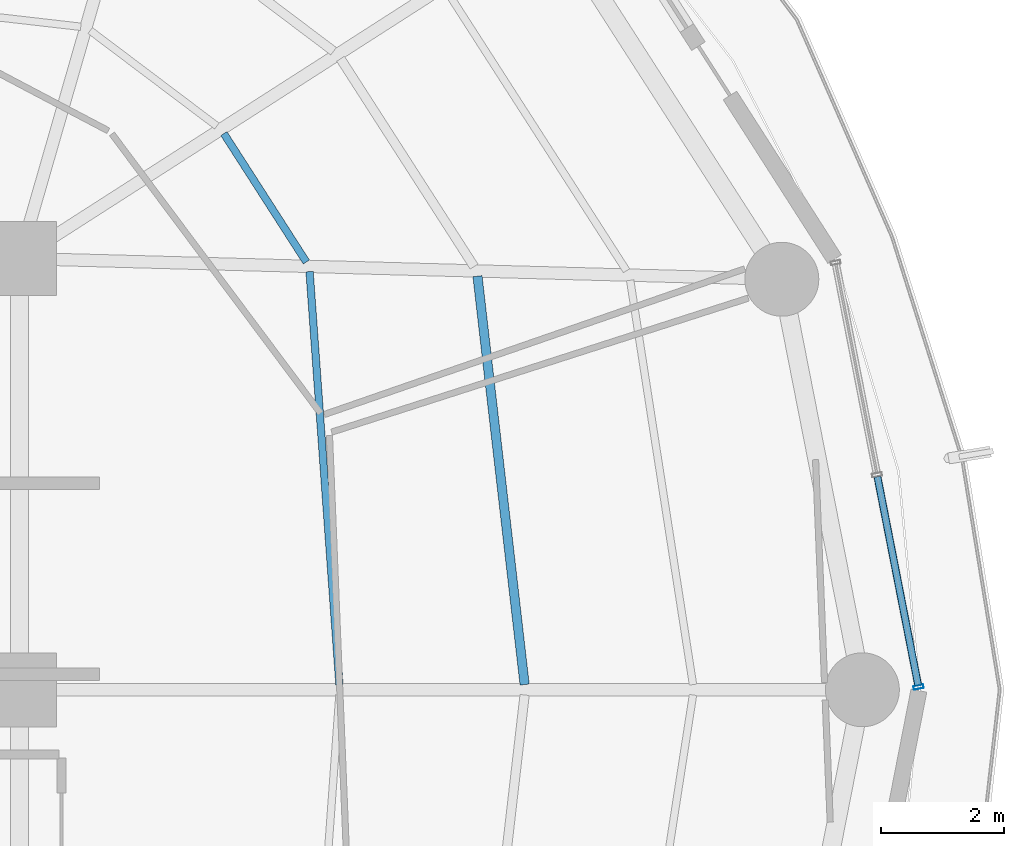
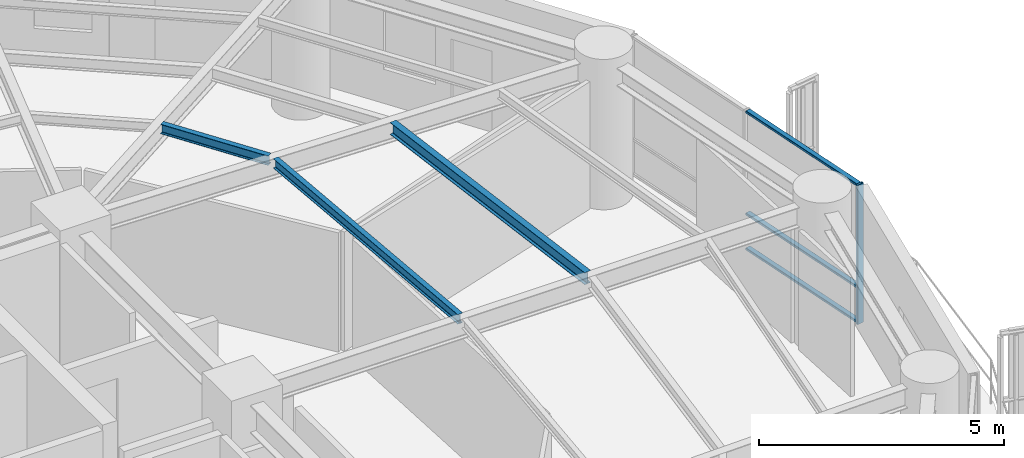
# One storey, part 13 of 27: 4 members, 3 beams, 1 element without a shape of its own.
"""IFC4 building model written with IfcOpenShell, lengths in metres."""

import ifcopenshell
import ifcopenshell.guid

model = None  # the IFC model being written
_history = None  # IfcOwnerHistory: only IFC2X3 demands one
_inside = {}  # id of a spatial element -> (the spatial element, [elements in it])
_under = {}  # id of a project, library or spatial element -> (it, [spatial elements below it])
_declared = {}  # id of a project -> (the project, [libraries it declares])
_typed = {}  # id of a type object -> (the type object, [elements of that type])
_made_of = {}  # id of a material, layer set ... -> (it, [elements and type objects made of it])


def new_model(schema):
    """Start an empty IFC model of exactly this schema.

    Asked for "IFC4X3", IfcOpenShell would pick the latest addendum, in which some entities
    have other attributes; the version numbers below select the first issue.
    IFC2X3 requires an IfcOwnerHistory on every rooted entity: one is made here for all.
    """
    global model, _history
    if schema == "IFC4X3":
        model = ifcopenshell.file(schema_version=(4, 3, 0, 0))
    else:
        model = ifcopenshell.file(schema=schema)
    _inside.clear()
    _under.clear()
    _declared.clear()
    _typed.clear()
    _made_of.clear()
    _history = None
    if model.schema == "IFC2X3":
        org = make("IfcOrganization", Name="unknown")
        user = make(
            "IfcPersonAndOrganization",
            ThePerson=make("IfcPerson", FamilyName="unknown"),
            TheOrganization=org,
        )
        app = make(
            "IfcApplication",
            ApplicationDeveloper=org,
            Version="unknown",
            ApplicationFullName="unknown",
            ApplicationIdentifier="unknown",
        )
        _history = make(
            "IfcOwnerHistory",
            OwningUser=user,
            OwningApplication=app,
            ChangeAction="ADDED",
            CreationDate=0,
        )
    return model


def make(cls, **values):
    """One entity of the class cls with the attributes given. An attribute that is None is left unset."""
    return model.create_entity(
        cls, **{name: value for name, value in values.items() if value is not None}
    )


def rooted(cls, **values):
    """An entity with a GlobalId (a new one), such as an element, a storey or a relation."""
    return make(cls, GlobalId=ifcopenshell.guid.new(), OwnerHistory=_history, **values)


def si_unit(unit_type, name, prefix=None):
    """IfcSIUnit, for example si_unit("LENGTHUNIT", "METRE", prefix="MILLI")."""
    return make("IfcSIUnit", UnitType=unit_type, Prefix=prefix, Name=name)


def assignment(units):
    """IfcUnitAssignment: the units of a project."""
    return None if units is None else make("IfcUnitAssignment", Units=units)


def point(xyz):
    """IfcCartesianPoint."""
    return None if xyz is None else make("IfcCartesianPoint", Coordinates=xyz)


def direction(xyz):
    """IfcDirection."""
    return None if xyz is None else make("IfcDirection", DirectionRatios=xyz)


def frame(location, z_axis=None, x_axis=None):
    """IfcAxis2Placement3D, a coordinate frame: its origin and axes. An axis left out is left unset."""
    return make(
        "IfcAxis2Placement3D",
        Location=point(location),
        Axis=direction(z_axis),
        RefDirection=direction(x_axis),
    )


def frame_2d(location, x_axis=None):
    """IfcAxis2Placement2D, a coordinate frame in the plane: its origin and x axis."""
    return make(
        "IfcAxis2Placement2D", Location=point(location), RefDirection=direction(x_axis)
    )


def origin():
    """The frame at (0, 0, 0) with its axes left unset."""
    return frame((0.0, 0.0, 0.0))


def origin_2d():
    """The frame at (0, 0) in the plane with its x axis left unset."""
    return frame_2d((0.0, 0.0))


def place(relative_to, where):
    """IfcLocalPlacement: puts the frame where relative to a parent placement (None: the world)."""
    return make(
        "IfcLocalPlacement", PlacementRelTo=relative_to, RelativePlacement=where
    )


def context(
    kind, dimensions, precision=None, world=None, true_north=None, identifier=None
):
    """IfcGeometricRepresentationContext, for example the 3D "Model" context."""
    return make(
        "IfcGeometricRepresentationContext",
        ContextIdentifier=identifier,
        ContextType=kind,
        CoordinateSpaceDimension=dimensions,
        Precision=precision,
        WorldCoordinateSystem=world,
        TrueNorth=true_north,
    )


def subcontext(parent, identifier, kind, view, scale=None):
    """IfcGeometricRepresentationSubContext, for example "Body" below "Model"."""
    return make(
        "IfcGeometricRepresentationSubContext",
        ContextIdentifier=identifier,
        ContextType=kind,
        ParentContext=parent,
        TargetScale=scale,
        TargetView=view,
    )


def project(units=None, contexts=None):
    """IfcProject with its units and contexts."""
    return rooted(
        "IfcProject",
        Name="project",
        RepresentationContexts=contexts,
        UnitsInContext=assignment(units),
    )


def spatial(cls, under=None, at=None, **own):
    """A site, building, storey or space (cls), placed at a placement, below another one or the project."""
    s = rooted(cls, ObjectPlacement=at, **own)
    if under is not None:
        _under.setdefault(under.id(), (under, []))[1].append(s)
    return s


def profile(cls, at=None, kind="AREA", **sizes):
    """A parametric profile (cls). Its sizes go by their IFC names, for example OverallWidth=200.0."""
    return make(cls, ProfileType=kind, Position=at, **sizes)


def hollow_rectangle(**sizes):
    """IfcRectangleHollowProfileDef."""
    return profile("IfcRectangleHollowProfileDef", **sizes)


def i_section(**sizes):
    """IfcIShapeProfileDef."""
    return profile("IfcIShapeProfileDef", **sizes)


def extrude(swept, where, along, depth):
    """IfcExtrudedAreaSolid: the profile swept, set in the frame where, extruded along a direction by depth."""
    return make(
        "IfcExtrudedAreaSolid",
        SweptArea=swept,
        Position=where,
        ExtrudedDirection=direction(along),
        Depth=depth,
    )


def shape(context_of_items, identifier, shape_type, items):
    """IfcShapeRepresentation: the items that make up one representation, for example the "Body"."""
    return make(
        "IfcShapeRepresentation",
        ContextOfItems=context_of_items,
        RepresentationIdentifier=identifier,
        RepresentationType=shape_type,
        Items=items,
    )


def material(Name=None, Category=None):
    """IfcMaterial."""
    return make("IfcMaterial", Name=Name, Category=Category)


def layer(
    of_material, thickness, ventilated=None, Name=None, Category=None, Priority=None
):
    """IfcMaterialLayer: one layer of a wall or slab, of a material (None: an air gap)."""
    return make(
        "IfcMaterialLayer",
        Material=of_material,
        LayerThickness=thickness,
        IsVentilated=ventilated,
        Name=Name,
        Category=Category,
        Priority=Priority,
    )


def layer_set(layers, Name=None):
    """IfcMaterialLayerSet."""
    return make("IfcMaterialLayerSet", MaterialLayers=layers, LayerSetName=Name)


def material_profile(
    of_material, cross_section, Name=None, Category=None, Priority=None
):
    """IfcMaterialProfile: a cross section and its material."""
    return make(
        "IfcMaterialProfile",
        Name=Name,
        Material=of_material,
        Profile=cross_section,
        Priority=Priority,
        Category=Category,
    )


def profile_set(profiles, Name=None, composite=None):
    """IfcMaterialProfileSet."""
    return make(
        "IfcMaterialProfileSet",
        Name=Name,
        MaterialProfiles=profiles,
        CompositeProfile=composite,
    )


def made_of(thing, what):
    """Note that an element or type object is made of a material, layer set ...; save() writes the relation."""
    if what is not None:
        _made_of.setdefault(what.id(), (what, []))[1].append(thing)
    return thing


def type_object(cls, material=None, **own):
    """A type object (cls), such as IfcWallType, which elements share."""
    return made_of(rooted(cls, **own), material)


def element(
    cls,
    number,
    at=None,
    inside=None,
    cuts=None,
    type_object=None,
    material=None,
    context=None,
    identifier="Body",
    shape_type=None,
    held_by="IfcProductDefinitionShape",
    body=None,
    shapes=None,
    **own,
):
    """One element of the class cls, such as IfcWall. Its Tag is "e" and its number.

    at: its placement. inside: the storey or other place that contains it. cuts: it is an
    opening in that element (IfcRelVoidsElement). A single representation is given by context,
    identifier, shape_type and body (its items); several are given by shapes. held_by: the class
    of the entity that holds the representations. save() writes the other relations.
    """
    e = rooted(cls, Tag="e%d" % number, ObjectPlacement=at, **own)
    if body is not None:
        shapes = [shape(context, identifier, shape_type, body)]
    if shapes is not None:
        e.Representation = make(held_by, Representations=shapes)
    if inside is not None:
        _inside.setdefault(inside.id(), (inside, []))[1].append(e)
    if cuts is not None:
        rooted(
            "IfcRelVoidsElement", RelatingBuildingElement=cuts, RelatedOpeningElement=e
        )
    if type_object is not None:
        _typed.setdefault(type_object.id(), (type_object, []))[1].append(e)
    return made_of(e, material)


def aggregate(whole, parts):
    """IfcRelAggregates: a whole, such as a stair, and the parts it consists of."""
    return rooted("IfcRelAggregates", RelatingObject=whole, RelatedObjects=parts)


def save(model, path):
    """Write the relations noted so far, then the file.

    IfcRelAggregates (storeys below a building ...), IfcRelContainedInSpatialStructure (elements
    in a storey), IfcRelDefinesByType, IfcRelAssociatesMaterial and IfcRelDeclares: one each for
    every whole, place, type object, material and project.
    """
    for whole, parts in _under.values():
        aggregate(whole, parts)
    for where, things in _inside.values():
        rooted(
            "IfcRelContainedInSpatialStructure",
            RelatedElements=things,
            RelatingStructure=where,
        )
    for kind, things in _typed.values():
        rooted("IfcRelDefinesByType", RelatedObjects=things, RelatingType=kind)
    for what, things in _made_of.values():
        rooted("IfcRelAssociatesMaterial", RelatedObjects=things, RelatingMaterial=what)
    for by, libraries in _declared.values():
        rooted("IfcRelDeclares", RelatingContext=by, RelatedDefinitions=libraries)
    model.write(path)


model = new_model("IFC4")

# Units and contexts
model_context = context("Model", 3, precision=1e-05, world=origin(), true_north=direction((0.0, 1.0)))
body_context = subcontext(model_context, "Body", "Model", "MODEL_VIEW")
ifc_project = project(units=[si_unit("LENGTHUNIT", "METRE"), si_unit("AREAUNIT", "SQUARE_METRE"), si_unit("VOLUMEUNIT", "CUBIC_METRE"), si_unit("PLANEANGLEUNIT", "RADIAN"), si_unit("MASSUNIT", "GRAM", prefix="KILO")], contexts=[model_context])

# Site, building, storey
site_placement = place(None, origin())
site = spatial("IfcSite", under=ifc_project, at=site_placement, CompositionType="ELEMENT")
building_placement = place(site_placement, origin())
building = spatial("IfcBuilding", under=site, at=building_placement, Name="Kelanora Arch Commons", CompositionType="ELEMENT")
storey_placement = place(building_placement, frame((0.0, 0.0, 173.10009765625)))
storey = spatial("IfcBuildingStorey", under=building, at=storey_placement, Name="L44", CompositionType="ELEMENT", Elevation=173.10009765625)

# Beams
ifc_material_1 = material(Name="Steel S355", Category="steel")
ifc_material_profile_1 = material_profile(ifc_material_1, i_section(OverallWidth=0.14990234375, OverallDepth=0.300048828125, WebThickness=0.007080078125, FlangeThickness=0.0107421875, FilletRadius=0.014892578125, at=origin_2d()), Name="IPE300")
ifc_profile_set_1 = profile_set([ifc_material_profile_1], Name="Steel S355")
beam_type_1 = type_object("IfcBeamType", Name="BM-JST-01", PredefinedType="JOIST", material=ifc_profile_set_1)
beam_1_placement = place(storey_placement, frame((90.1982421875, 58.08447265625, 3.33984375), z_axis=(-0.114667159005, 0.9934039675, 0.0), x_axis=(-0.9934039675, -0.114667159005, 0.0)))
element("IfcBeam", 1, at=beam_1_placement, inside=storey, type_object=beam_type_1, Name="Secondary Chord Joist BJB-00 L44", PredefinedType="JOIST", context=body_context, shape_type="SweptSolid", body=[
    extrude(i_section(OverallWidth=0.14990234375, OverallDepth=0.300048828125, WebThickness=0.007080078125, FlangeThickness=0.0107421875, FilletRadius=0.014892578125, at=origin_2d()), origin(), (0.0, 0.0, 1.0), 6.672607421875),
])
ifc_material_profile_2 = material_profile(ifc_material_1, i_section(OverallWidth=0.1201171875, OverallDepth=0.239990234375, WebThickness=0.006103515625, FlangeThickness=0.009765625, FilletRadius=0.014892578125, at=origin_2d()), Name="IPE240")
ifc_profile_set_2 = profile_set([ifc_material_profile_2], Name="Steel S355")
beam_type_2 = type_object("IfcBeamType", Name="BM-JST-02", PredefinedType="JOIST", material=ifc_profile_set_2)
beam_2_placement = place(storey_placement, frame((87.1923828125, 58.084716796875, 3.369873046875), z_axis=(-0.072117123738, 0.997396170267, 0.0), x_axis=(-0.997396170267, -0.072117123738, 0.0)))
element("IfcBeam", 2, at=beam_2_placement, inside=storey, type_object=beam_type_2, Name="Secondary Chord Joist BJA-00 L44", PredefinedType="JOIST", context=body_context, shape_type="SweptSolid", body=[
    extrude(i_section(OverallWidth=0.1201171875, OverallDepth=0.239990234375, WebThickness=0.006103515625, FlangeThickness=0.009765625, FilletRadius=0.014892578125, at=origin_2d()), origin(), (0.0, 0.0, 1.0), 6.719970703125),
])
beam_3_placement = place(storey_placement, frame((86.655517578125, 64.943359375, 3.369873046875), z_axis=(-0.540583174025, 0.841290575224, 0.0), x_axis=(-0.841290575224, -0.540583174025, 0.0)))
element("IfcBeam", 3, at=beam_3_placement, inside=storey, type_object=beam_type_2, Name="Secondary Chord Joist BJA-02 L44", PredefinedType="JOIST", context=body_context, shape_type="SweptSolid", body=[
    extrude(i_section(OverallWidth=0.1201171875, OverallDepth=0.239990234375, WebThickness=0.006103515625, FlangeThickness=0.009765625, FilletRadius=0.014892578125, at=origin_2d()), origin(), (0.0, 0.0, 1.0), 2.476318359375),
])

# Curtain wall, members
ifc_material_2 = material(Name="Terracotta ceramic-fritted low-E glass and aluminium", Category="masonry")
ifc_layer = layer(ifc_material_2, 0.175048828125)
ifc_layer_set = layer_set([ifc_layer], Name="Terracotta ceramic-fritted low-E glass and aluminium")
curtain_wall_type = type_object("IfcCurtainWallType", Name="CW-SYS-02", PredefinedType="NOTDEFINED", material=ifc_layer_set)
curtain_wall_placement = place(storey_placement, origin())
curtain_wall = element("IfcCurtainWall", 4, at=curtain_wall_placement, inside=storey, type_object=curtain_wall_type, Name="Unitised Curtain Wall L44-B00", PredefinedType="NOTDEFINED")
ifc_material_3 = material(Name="Powder-coated aluminium terracotta", Category="masonry")
ifc_material_profile_3 = material_profile(ifc_material_3, hollow_rectangle(XDim=0.159912109375, YDim=0.06005859375, WallThickness=0.0048828125, InnerFilletRadius=0.0048828125, OuterFilletRadius=0.010009765625, at=origin_2d()), Name="CWM160x60")
ifc_profile_set_3 = profile_set([ifc_material_profile_3], Name="Powder-coated aluminium terracotta")
member_type_1 = type_object("IfcMemberType", Name="CWM-STD", PredefinedType="MULLION", material=ifc_profile_set_3)
member_1_placement = place(storey_placement, frame((96.59130859375, 58.044189453125, 0.0), z_axis=(0.0, 0.0, 1.0), x_axis=(-0.981452557718, -0.191705182375, 0.0)))
member_1 = element("IfcMember", 5, at=member_1_placement, type_object=member_type_1, Name="CW-02 mullion 1", PredefinedType="MULLION", context=body_context, shape_type="SweptSolid", body=[
    extrude(hollow_rectangle(XDim=0.159912109375, YDim=0.06005859375, WallThickness=0.0048828125, InnerFilletRadius=0.0048828125, OuterFilletRadius=0.010009765625, at=origin_2d()), origin(), (0.0, 0.0, 1.0), 3.474853515625),
])
ifc_material_profile_4 = material_profile(ifc_material_3, hollow_rectangle(XDim=0.1201171875, YDim=0.06005859375, WallThickness=0.0048828125, InnerFilletRadius=0.0048828125, OuterFilletRadius=0.010009765625, at=origin_2d()), Name="CWT120x60")
ifc_profile_set_4 = profile_set([ifc_material_profile_4], Name="Powder-coated aluminium terracotta")
member_type_2 = type_object("IfcMemberType", Name="CWT-STD", PredefinedType="USERDEFINED", material=ifc_profile_set_4)
member_2_placement = place(storey_placement, frame((96.585693359375, 58.073486328125, 0.02978515625), z_axis=(-0.191718206447, 0.981450013662, 0.0), x_axis=(-0.981450013662, -0.191718206447, 0.0)))
member_2 = element("IfcMember", 6, at=member_2_placement, type_object=member_type_2, Name="CW-02 transom 1.1", ObjectType="TRANSOM", PredefinedType="USERDEFINED", context=body_context, shape_type="SweptSolid", body=[
    extrude(hollow_rectangle(XDim=0.1201171875, YDim=0.06005859375, WallThickness=0.0048828125, InnerFilletRadius=0.0048828125, OuterFilletRadius=0.010009765625, at=origin_2d()), origin(), (0.0, 0.0, 1.0), 3.44970703125),
])
member_3_placement = place(storey_placement, frame((96.585693359375, 58.073486328125, 0.89990234375), z_axis=(-0.191718206447, 0.981450013662, 0.0), x_axis=(-0.981450013662, -0.191718206447, 0.0)))
member_3 = element("IfcMember", 7, at=member_3_placement, type_object=member_type_2, Name="CW-02 transom 1.2", ObjectType="TRANSOM", PredefinedType="USERDEFINED", context=body_context, shape_type="SweptSolid", body=[
    extrude(hollow_rectangle(XDim=0.1201171875, YDim=0.06005859375, WallThickness=0.0048828125, InnerFilletRadius=0.0048828125, OuterFilletRadius=0.010009765625, at=origin_2d()), origin(), (0.0, 0.0, 1.0), 3.44970703125),
])
member_4_placement = place(storey_placement, frame((96.585693359375, 58.073486328125, 3.44482421875), z_axis=(-0.191718206447, 0.981450013662, 0.0), x_axis=(-0.981450013662, -0.191718206447, 0.0)))
member_4 = element("IfcMember", 8, at=member_4_placement, type_object=member_type_2, Name="CW-02 transom 1.3", ObjectType="TRANSOM", PredefinedType="USERDEFINED", context=body_context, shape_type="SweptSolid", body=[
    extrude(hollow_rectangle(XDim=0.1201171875, YDim=0.06005859375, WallThickness=0.0048828125, InnerFilletRadius=0.0048828125, OuterFilletRadius=0.010009765625, at=origin_2d()), origin(), (0.0, 0.0, 1.0), 3.44970703125),
])
aggregate(curtain_wall, [member_1, member_2, member_3, member_4])

save(model, "model.ifc")
